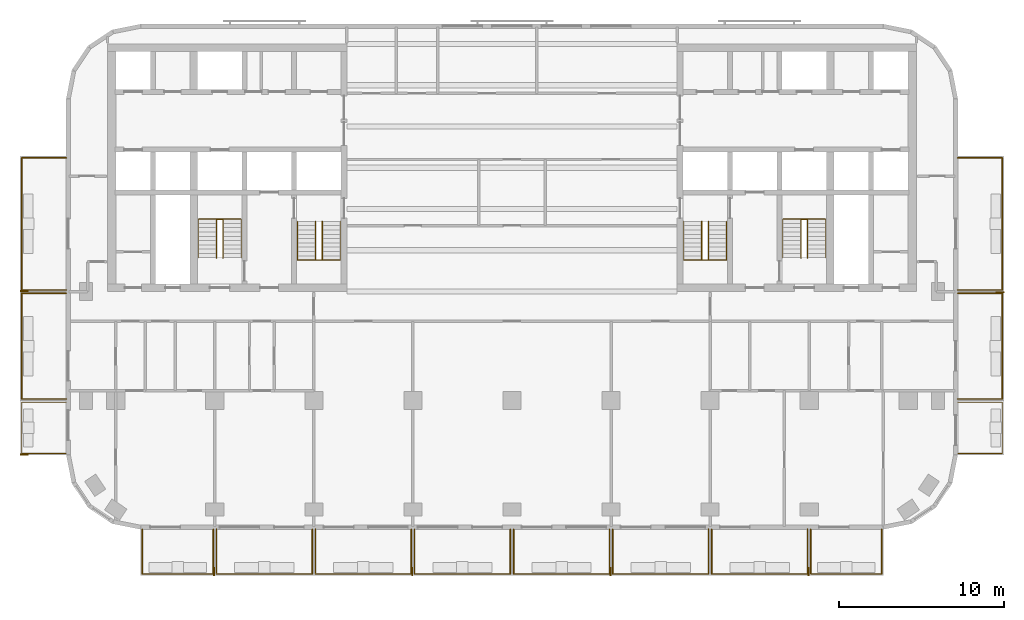
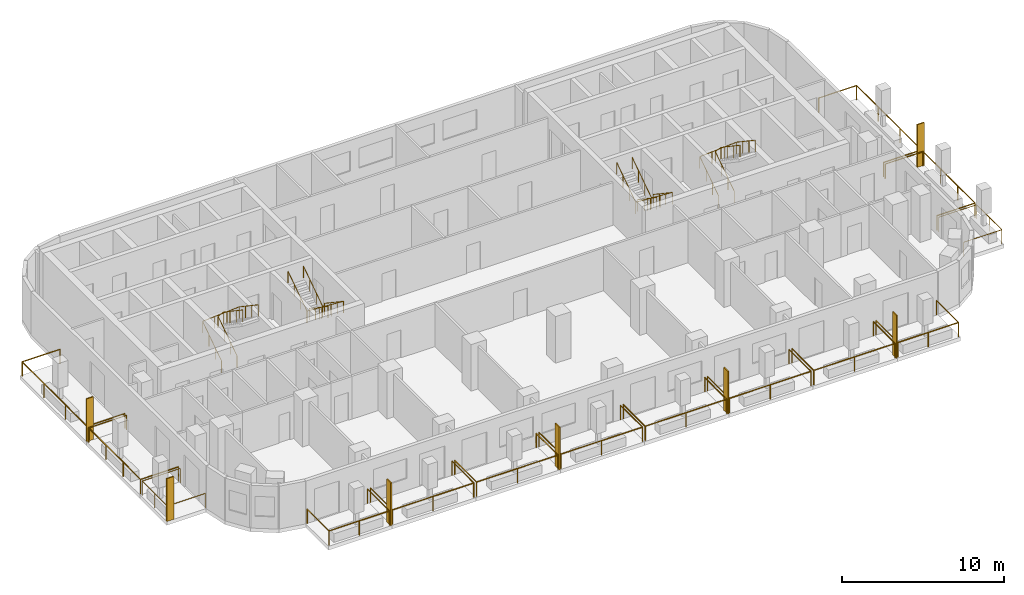
# One storey, part 9 of 11: 22 railings, 7 shading devices.
"""IFC4 building model written with IfcOpenShell, lengths in metres."""

from ifc_helpers import new_model, si_unit, direction, frame, origin, origin_2d, place, context, subcontext, project, spatial, rectangle, circle, extrude, material, layer, layer_set, type_object, element, save


model = new_model("IFC4")

# Units and contexts
model_context = context("Model", 3, precision=1e-05, world=origin(), true_north=direction((0.0, 1.0)))
body_context = subcontext(model_context, "Body", "Model", "MODEL_VIEW")
ifc_project = project(units=[si_unit("LENGTHUNIT", "METRE"), si_unit("AREAUNIT", "SQUARE_METRE"), si_unit("VOLUMEUNIT", "CUBIC_METRE"), si_unit("PLANEANGLEUNIT", "RADIAN"), si_unit("MASSUNIT", "GRAM", prefix="KILO")], contexts=[model_context])

# Site, building, storey
site_placement = place(None, origin())
site = spatial("IfcSite", under=ifc_project, at=site_placement, CompositionType="ELEMENT")
building_placement = place(site_placement, origin())
building = spatial("IfcBuilding", under=site, at=building_placement, Name="Torana Hotel and Residences", CompositionType="ELEMENT")
storey_placement = place(building_placement, frame((0.0, 0.0, 218.60009765625)))
storey = spatial("IfcBuildingStorey", under=building, at=storey_placement, Name="L57", CompositionType="ELEMENT", Elevation=218.60009765625)

# Shading devices
ifc_material_1 = material(Name="Black powder coated aluminium", Category="aluminium")
ifc_layer = layer(ifc_material_1, 0.080078125)
ifc_layer_set = layer_set([ifc_layer], Name="FN1 VERTICAL FIN 500x80")
shading_device_type = type_object("IfcShadingDeviceType", Name="FN1 VERTICAL FIN 500x80", PredefinedType="USERDEFINED", material=ifc_layer_set)
for number, where, z_axis, x_axis, name in (
    (1, (-18.0400390625, -31.949951171875, 0.0), (0.0, 0.0, 1.0), (-1.0, 0.0, 0.0), "Fin 01"),
    (2, (-6.0400390625, -31.949951171875, 0.0), (0.0, 0.0, 1.0), (-1.0, 0.0, 0.0), "Fin 03"),
    (3, (5.9599609375, -31.949951171875, 0.0), (0.0, 0.0, 1.0), (-1.0, 0.0, 0.0), "Fin 05"),
    (4, (17.9599609375, -31.949951171875, 0.0), (0.0, 0.0, 1.0), (-1.0, 0.0, 0.0), "Fin 07"),
    (5, (-29.550048828125, -24.860107421875, 0.0), (0.0, 0.0, 1.0), (0.0, 1.0, 0.0), "Fin 09"),
    (6, (-29.550048828125, -14.9599609375, 0.0), (0.0, 0.0, 1.0), (0.0, 1.0, 0.0), "Fin 11"),
    (7, (29.550048828125, -15.0400390625, 0.0), (0.0, 0.0, 1.0), (0.0, -1.0, 0.0), "Fin 13"),
):
    element("IfcShadingDevice", number, at=place(storey_placement, frame(where, z_axis=z_axis, x_axis=x_axis)), inside=storey, type_object=shading_device_type, Name=name, ObjectType="FIN", PredefinedType="USERDEFINED", context=body_context, shape_type="SweptSolid", body=[
        extrude(rectangle(XDim=0.080078125, YDim=0.5, at=origin_2d()), origin(), (0.0, 0.0, 1.0), 3.219970703125),
    ])

# Railings
ifc_material_2 = material(Name="Laminated glass balustrade with black handrail", Category="glass")
railing_type_1 = type_object("IfcRailingType", Name="GR1 BALCONY GUARD 1100 GLASS", PredefinedType="GUARDRAIL", material=ifc_material_2)
railing_1_placement = place(storey_placement, frame((-18.10009765625, -29.39990234375, 0.0)))
element("IfcRailing", 8, at=railing_1_placement, inside=storey, type_object=railing_type_1, Name="Balcony guard 01", PredefinedType="GUARDRAIL", context=body_context, shape_type="SweptSolid", body=[
    extrude(circle(Radius=0.02392578125, at=origin_2d()), frame((0.0, 0.0, 1.076171875), z_axis=(0.0, -1.0, 0.0), x_axis=(1.0, 0.0, 0.0)), (0.0, 0.0, 1.0), 2.7001953125),
    extrude(circle(Radius=0.02392578125, at=origin_2d()), frame((0.0, -2.7001953125, 1.076171875), z_axis=(-1.0, 0.0, 0.0), x_axis=(0.0, -1.0, 0.0)), (0.0, 0.0, 1.0), 4.2998046875),
    extrude(circle(Radius=0.02392578125, at=origin_2d()), frame((-4.2998046875, -2.7001953125, 1.076171875), z_axis=(0.0, 1.0, 0.0), x_axis=(-1.0, 0.0, 0.0)), (0.0, 0.0, 1.0), 2.7001953125),
    extrude(circle(Radius=0.02099609375, at=origin_2d()), origin(), (0.0, 0.0, 1.0), 1.052001953125),
    extrude(circle(Radius=0.02099609375, at=origin_2d()), frame((0.0, -2.7001953125, 0.0)), (0.0, 0.0, 1.0), 1.052001953125),
    extrude(circle(Radius=0.02099609375, at=origin_2d()), frame((-2.14990234375, -2.7001953125, 0.0)), (0.0, 0.0, 1.0), 1.052001953125),
    extrude(circle(Radius=0.02099609375, at=origin_2d()), frame((-4.2998046875, -2.7001953125, 0.0)), (0.0, 0.0, 1.0), 1.052001953125),
    extrude(circle(Radius=0.02099609375, at=origin_2d()), frame((-4.2998046875, 0.0, 0.0)), (0.0, 0.0, 1.0), 1.052001953125),
])
for number, where, name in (
    (9, (-12.10009765625, -29.39990234375, 0.0), "Balcony guard 02"),
    (10, (-6.10009765625, -29.39990234375, 0.0), "Balcony guard 03"),
    (11, (-0.10009765625, -29.39990234375, 0.0), "Balcony guard 04"),
    (12, (5.89990234375, -29.39990234375, 0.0), "Balcony guard 05"),
    (13, (11.89990234375, -29.39990234375, 0.0), "Balcony guard 06"),
    (14, (17.89990234375, -29.39990234375, 0.0), "Balcony guard 07"),
):
    element("IfcRailing", number, at=place(storey_placement, frame(where)), inside=storey, type_object=railing_type_1, Name=name, PredefinedType="GUARDRAIL", context=body_context, shape_type="SweptSolid", body=[
        extrude(circle(Radius=0.02392578125, at=origin_2d()), frame((0.0, 0.0, 1.076171875), z_axis=(0.0, -1.0, 0.0), x_axis=(1.0, 0.0, 0.0)), (0.0, 0.0, 1.0), 2.7001953125),
        extrude(circle(Radius=0.02392578125, at=origin_2d()), frame((0.0, -2.7001953125, 1.076171875), z_axis=(-1.0, 0.0, 0.0), x_axis=(0.0, -1.0, 0.0)), (0.0, 0.0, 1.0), 5.7998046875),
        extrude(circle(Radius=0.02392578125, at=origin_2d()), frame((-5.7998046875, -2.7001953125, 1.076171875), z_axis=(0.0, 1.0, 0.0), x_axis=(-1.0, 0.0, 0.0)), (0.0, 0.0, 1.0), 2.7001953125),
        extrude(circle(Radius=0.02099609375, at=origin_2d()), origin(), (0.0, 0.0, 1.0), 1.052001953125),
        extrude(circle(Radius=0.02099609375, at=origin_2d()), frame((0.0, -2.7001953125, 0.0)), (0.0, 0.0, 1.0), 1.052001953125),
        extrude(circle(Radius=0.02099609375, at=origin_2d()), frame((-2.89990234375, -2.7001953125, 0.0)), (0.0, 0.0, 1.0), 1.052001953125),
        extrude(circle(Radius=0.02099609375, at=origin_2d()), frame((-5.7998046875, -2.7001953125, 0.0)), (0.0, 0.0, 1.0), 1.052001953125),
        extrude(circle(Radius=0.02099609375, at=origin_2d()), frame((-5.7998046875, 0.0, 0.0)), (0.0, 0.0, 1.0), 1.052001953125),
    ])
railing_2_placement = place(storey_placement, frame((22.39990234375, -29.39990234375, 0.0)))
element("IfcRailing", 15, at=railing_2_placement, inside=storey, type_object=railing_type_1, Name="Balcony guard 08", PredefinedType="GUARDRAIL", context=body_context, shape_type="SweptSolid", body=[
    extrude(circle(Radius=0.02392578125, at=origin_2d()), frame((0.0, 0.0, 1.076171875), z_axis=(0.0, -1.0, 0.0), x_axis=(1.0, 0.0, 0.0)), (0.0, 0.0, 1.0), 2.7001953125),
    extrude(circle(Radius=0.02392578125, at=origin_2d()), frame((0.0, -2.7001953125, 1.076171875), z_axis=(-1.0, 0.0, 0.0), x_axis=(0.0, -1.0, 0.0)), (0.0, 0.0, 1.0), 4.2998046875),
    extrude(circle(Radius=0.02392578125, at=origin_2d()), frame((-4.2998046875, -2.7001953125, 1.076171875), z_axis=(0.0, 1.0, 0.0), x_axis=(-1.0, 0.0, 0.0)), (0.0, 0.0, 1.0), 2.7001953125),
    extrude(circle(Radius=0.02099609375, at=origin_2d()), origin(), (0.0, 0.0, 1.0), 1.052001953125),
    extrude(circle(Radius=0.02099609375, at=origin_2d()), frame((0.0, -2.7001953125, 0.0)), (0.0, 0.0, 1.0), 1.052001953125),
    extrude(circle(Radius=0.02099609375, at=origin_2d()), frame((-2.14990234375, -2.7001953125, 0.0)), (0.0, 0.0, 1.0), 1.052001953125),
    extrude(circle(Radius=0.02099609375, at=origin_2d()), frame((-4.2998046875, -2.7001953125, 0.0)), (0.0, 0.0, 1.0), 1.052001953125),
    extrude(circle(Radius=0.02099609375, at=origin_2d()), frame((-4.2998046875, 0.0, 0.0)), (0.0, 0.0, 1.0), 1.052001953125),
])
railing_3_placement = place(storey_placement, frame((-27.0, -24.800048828125, 0.0)))
element("IfcRailing", 16, at=railing_3_placement, inside=storey, type_object=railing_type_1, Name="Balcony guard 09", PredefinedType="GUARDRAIL", context=body_context, shape_type="SweptSolid", body=[
    extrude(circle(Radius=0.02392578125, at=origin_2d()), frame((0.0, 0.0, 1.076171875), z_axis=(-1.0, 0.0, 0.0), x_axis=(0.0, -1.0, 0.0)), (0.0, 0.0, 1.0), 2.699951171875),
    extrude(circle(Radius=0.02392578125, at=origin_2d()), frame((-2.699951171875, 0.0, 1.076171875), z_axis=(0.0, 1.0, 0.0), x_axis=(-1.0, 0.0, 0.0)), (0.0, 0.0, 1.0), 3.10009765625),
    extrude(circle(Radius=0.02392578125, at=origin_2d()), frame((-2.699951171875, 3.10009765625, 1.076171875), z_axis=(1.0, 0.0, 0.0), x_axis=(0.0, 1.0, 0.0)), (0.0, 0.0, 1.0), 2.699951171875),
    extrude(circle(Radius=0.02099609375, at=origin_2d()), origin(), (0.0, 0.0, 1.0), 1.052001953125),
    extrude(circle(Radius=0.02099609375, at=origin_2d()), frame((-2.699951171875, 0.0, 0.0)), (0.0, 0.0, 1.0), 1.052001953125),
    extrude(circle(Radius=0.02099609375, at=origin_2d()), frame((-2.699951171875, 1.550048828125, 0.0)), (0.0, 0.0, 1.0), 1.052001953125),
    extrude(circle(Radius=0.02099609375, at=origin_2d()), frame((-2.699951171875, 3.10009765625, 0.0)), (0.0, 0.0, 1.0), 1.052001953125),
    extrude(circle(Radius=0.02099609375, at=origin_2d()), frame((0.0, 3.10009765625, 0.0)), (0.0, 0.0, 1.0), 1.052001953125),
])
railing_4_placement = place(storey_placement, frame((-27.0, -21.5, 0.0)))
element("IfcRailing", 17, at=railing_4_placement, inside=storey, type_object=railing_type_1, Name="Balcony guard 10", PredefinedType="GUARDRAIL", context=body_context, shape_type="SweptSolid", body=[
    extrude(circle(Radius=0.02392578125, at=origin_2d()), frame((0.0, 0.0, 1.076171875), z_axis=(-1.0, 0.0, 0.0), x_axis=(0.0, -1.0, 0.0)), (0.0, 0.0, 1.0), 2.699951171875),
    extrude(circle(Radius=0.02392578125, at=origin_2d()), frame((-2.699951171875, 0.0, 1.076171875), z_axis=(0.0, 1.0, 0.0), x_axis=(-1.0, 0.0, 0.0)), (0.0, 0.0, 1.0), 6.39990234375),
    extrude(circle(Radius=0.02392578125, at=origin_2d()), frame((-2.699951171875, 6.39990234375, 1.076171875), z_axis=(1.0, 0.0, 0.0), x_axis=(0.0, 1.0, 0.0)), (0.0, 0.0, 1.0), 2.699951171875),
    extrude(circle(Radius=0.02099609375, at=origin_2d()), origin(), (0.0, 0.0, 1.0), 1.052001953125),
    extrude(circle(Radius=0.02099609375, at=origin_2d()), frame((-2.699951171875, 0.0, 0.0)), (0.0, 0.0, 1.0), 1.052001953125),
    extrude(circle(Radius=0.02099609375, at=origin_2d()), frame((-2.699951171875, 2.13330078125, 0.0)), (0.0, 0.0, 1.0), 1.052001953125),
    extrude(circle(Radius=0.02099609375, at=origin_2d()), frame((-2.699951171875, 4.2666015625, 0.0)), (0.0, 0.0, 1.0), 1.052001953125),
    extrude(circle(Radius=0.02099609375, at=origin_2d()), frame((-2.699951171875, 6.39990234375, 0.0)), (0.0, 0.0, 1.0), 1.052001953125),
    extrude(circle(Radius=0.02099609375, at=origin_2d()), frame((0.0, 6.39990234375, 0.0)), (0.0, 0.0, 1.0), 1.052001953125),
])
railing_5_placement = place(storey_placement, frame((-27.0, -14.89990234375, 0.0)))
element("IfcRailing", 18, at=railing_5_placement, inside=storey, type_object=railing_type_1, Name="Balcony guard 11", PredefinedType="GUARDRAIL", context=body_context, shape_type="SweptSolid", body=[
    extrude(circle(Radius=0.02392578125, at=origin_2d()), frame((0.0, 0.0, 1.076171875), z_axis=(-1.0, 0.0, 0.0), x_axis=(0.0, -1.0, 0.0)), (0.0, 0.0, 1.0), 2.699951171875),
    extrude(circle(Radius=0.02392578125, at=origin_2d()), frame((-2.699951171875, 0.0, 1.076171875), z_axis=(0.0, 1.0, 0.0), x_axis=(-1.0, 0.0, 0.0)), (0.0, 0.0, 1.0), 8.0),
    extrude(circle(Radius=0.02392578125, at=origin_2d()), frame((-2.699951171875, 8.0, 1.076171875), z_axis=(1.0, 0.0, 0.0), x_axis=(0.0, 1.0, 0.0)), (0.0, 0.0, 1.0), 2.699951171875),
    extrude(circle(Radius=0.02099609375, at=origin_2d()), origin(), (0.0, 0.0, 1.0), 1.052001953125),
    extrude(circle(Radius=0.02099609375, at=origin_2d()), frame((-2.699951171875, 0.0, 0.0)), (0.0, 0.0, 1.0), 1.052001953125),
    extrude(circle(Radius=0.02099609375, at=origin_2d()), frame((-2.699951171875, 2.666748046875, 0.0)), (0.0, 0.0, 1.0), 1.052001953125),
    extrude(circle(Radius=0.02099609375, at=origin_2d()), frame((-2.699951171875, 5.333251953125, 0.0)), (0.0, 0.0, 1.0), 1.052001953125),
    extrude(circle(Radius=0.02099609375, at=origin_2d()), frame((-2.699951171875, 8.0, 0.0)), (0.0, 0.0, 1.0), 1.052001953125),
    extrude(circle(Radius=0.02099609375, at=origin_2d()), frame((0.0, 8.0, 0.0)), (0.0, 0.0, 1.0), 1.052001953125),
])
railing_6_placement = place(storey_placement, frame((27.0, -21.699951171875, 0.0)))
element("IfcRailing", 19, at=railing_6_placement, inside=storey, type_object=railing_type_1, Name="Balcony guard 12", PredefinedType="GUARDRAIL", context=body_context, shape_type="SweptSolid", body=[
    extrude(circle(Radius=0.02392578125, at=origin_2d()), frame((0.0, 0.0, 1.076171875), z_axis=(1.0, 0.0, 0.0), x_axis=(0.0, 1.0, 0.0)), (0.0, 0.0, 1.0), 2.699951171875),
    extrude(circle(Radius=0.02392578125, at=origin_2d()), frame((2.699951171875, 0.0, 1.076171875), z_axis=(0.0, -1.0, 0.0), x_axis=(1.0, 0.0, 0.0)), (0.0, 0.0, 1.0), 3.10009765625),
    extrude(circle(Radius=0.02392578125, at=origin_2d()), frame((2.699951171875, -3.10009765625, 1.076171875), z_axis=(-1.0, 0.0, 0.0), x_axis=(0.0, -1.0, 0.0)), (0.0, 0.0, 1.0), 2.699951171875),
    extrude(circle(Radius=0.02099609375, at=origin_2d()), origin(), (0.0, 0.0, 1.0), 1.052001953125),
    extrude(circle(Radius=0.02099609375, at=origin_2d()), frame((2.699951171875, 0.0, 0.0)), (0.0, 0.0, 1.0), 1.052001953125),
    extrude(circle(Radius=0.02099609375, at=origin_2d()), frame((2.699951171875, -1.550048828125, 0.0)), (0.0, 0.0, 1.0), 1.052001953125),
    extrude(circle(Radius=0.02099609375, at=origin_2d()), frame((2.699951171875, -3.10009765625, 0.0)), (0.0, 0.0, 1.0), 1.052001953125),
    extrude(circle(Radius=0.02099609375, at=origin_2d()), frame((0.0, -3.10009765625, 0.0)), (0.0, 0.0, 1.0), 1.052001953125),
])
railing_7_placement = place(storey_placement, frame((27.0, -15.10009765625, 0.0)))
element("IfcRailing", 20, at=railing_7_placement, inside=storey, type_object=railing_type_1, Name="Balcony guard 13", PredefinedType="GUARDRAIL", context=body_context, shape_type="SweptSolid", body=[
    extrude(circle(Radius=0.02392578125, at=origin_2d()), frame((0.0, 0.0, 1.076171875), z_axis=(1.0, 0.0, 0.0), x_axis=(0.0, 1.0, 0.0)), (0.0, 0.0, 1.0), 2.699951171875),
    extrude(circle(Radius=0.02392578125, at=origin_2d()), frame((2.699951171875, 0.0, 1.076171875), z_axis=(0.0, -1.0, 0.0), x_axis=(1.0, 0.0, 0.0)), (0.0, 0.0, 1.0), 6.39990234375),
    extrude(circle(Radius=0.02392578125, at=origin_2d()), frame((2.699951171875, -6.39990234375, 1.076171875), z_axis=(-1.0, 0.0, 0.0), x_axis=(0.0, -1.0, 0.0)), (0.0, 0.0, 1.0), 2.699951171875),
    extrude(circle(Radius=0.02099609375, at=origin_2d()), origin(), (0.0, 0.0, 1.0), 1.052001953125),
    extrude(circle(Radius=0.02099609375, at=origin_2d()), frame((2.699951171875, 0.0, 0.0)), (0.0, 0.0, 1.0), 1.052001953125),
    extrude(circle(Radius=0.02099609375, at=origin_2d()), frame((2.699951171875, -2.13330078125, 0.0)), (0.0, 0.0, 1.0), 1.052001953125),
    extrude(circle(Radius=0.02099609375, at=origin_2d()), frame((2.699951171875, -4.2666015625, 0.0)), (0.0, 0.0, 1.0), 1.052001953125),
    extrude(circle(Radius=0.02099609375, at=origin_2d()), frame((2.699951171875, -6.39990234375, 0.0)), (0.0, 0.0, 1.0), 1.052001953125),
    extrude(circle(Radius=0.02099609375, at=origin_2d()), frame((0.0, -6.39990234375, 0.0)), (0.0, 0.0, 1.0), 1.052001953125),
])
railing_8_placement = place(storey_placement, frame((27.0, -6.89990234375, 0.0)))
element("IfcRailing", 21, at=railing_8_placement, inside=storey, type_object=railing_type_1, Name="Balcony guard 14", PredefinedType="GUARDRAIL", context=body_context, shape_type="SweptSolid", body=[
    extrude(circle(Radius=0.02392578125, at=origin_2d()), frame((0.0, 0.0, 1.076171875), z_axis=(1.0, 0.0, 0.0), x_axis=(0.0, 1.0, 0.0)), (0.0, 0.0, 1.0), 2.699951171875),
    extrude(circle(Radius=0.02392578125, at=origin_2d()), frame((2.699951171875, 0.0, 1.076171875), z_axis=(0.0, -1.0, 0.0), x_axis=(1.0, 0.0, 0.0)), (0.0, 0.0, 1.0), 8.0),
    extrude(circle(Radius=0.02392578125, at=origin_2d()), frame((2.699951171875, -8.0, 1.076171875), z_axis=(-1.0, 0.0, 0.0), x_axis=(0.0, -1.0, 0.0)), (0.0, 0.0, 1.0), 2.699951171875),
    extrude(circle(Radius=0.02099609375, at=origin_2d()), origin(), (0.0, 0.0, 1.0), 1.052001953125),
    extrude(circle(Radius=0.02099609375, at=origin_2d()), frame((2.699951171875, 0.0, 0.0)), (0.0, 0.0, 1.0), 1.052001953125),
    extrude(circle(Radius=0.02099609375, at=origin_2d()), frame((2.699951171875, -2.666748046875, 0.0)), (0.0, 0.0, 1.0), 1.052001953125),
    extrude(circle(Radius=0.02099609375, at=origin_2d()), frame((2.699951171875, -5.333251953125, 0.0)), (0.0, 0.0, 1.0), 1.052001953125),
    extrude(circle(Radius=0.02099609375, at=origin_2d()), frame((2.699951171875, -8.0, 0.0)), (0.0, 0.0, 1.0), 1.052001953125),
    extrude(circle(Radius=0.02099609375, at=origin_2d()), frame((0.0, -8.0, 0.0)), (0.0, 0.0, 1.0), 1.052001953125),
])
ifc_material_3 = material(Name="Stainless steel 316", Category="steel")
railing_type_2 = type_object("IfcRailingType", Name="STAIR HANDRAIL HR1 900", PredefinedType="HANDRAIL", material=ifc_material_3)
railing_9_placement = place(storey_placement, frame((-10.39990234375, -10.75, 0.1748046875)))
element("IfcRailing", 22, at=railing_9_placement, inside=storey, type_object=railing_type_2, Name="Handrail ST1 L57 O1", PredefinedType="HANDRAIL", context=body_context, shape_type="SweptSolid", body=[
    extrude(circle(Radius=0.02392578125, at=origin_2d()), frame((0.0, 0.0, 0.8759765625), z_axis=(0.0, -0.829565388462, 0.558409586474), x_axis=(1.0, 0.0, 0.0)), (0.0, 0.0, 1.0), 2.82080078125),
    extrude(circle(Radius=0.02392578125, at=origin_2d()), frame((0.0, -2.340087890625, 2.451171875), z_axis=(-0.997747692642, 0.0, 0.067078624219), x_axis=(0.0, -1.0, 0.0)), (0.0, 0.0, 1.0), 2.60595703125),
    extrude(circle(Radius=0.02392578125, at=origin_2d()), frame((-2.60009765625, -2.340087890625, 2.6259765625), z_axis=(0.0, 0.829565388462, 0.558409586474), x_axis=(-1.0, 0.0, 0.0)), (0.0, 0.0, 1.0), 2.82080078125),
    extrude(circle(Radius=0.02099609375, at=origin_2d()), origin(), (0.0, 0.0, 1.0), 0.851806640625),
    extrude(circle(Radius=0.02099609375, at=origin_2d()), frame((0.0, -0.780029296875, 0.525146484375)), (0.0, 0.0, 1.0), 0.851806640625),
    extrude(circle(Radius=0.02099609375, at=origin_2d()), frame((0.0, -1.56005859375, 1.050048828125)), (0.0, 0.0, 1.0), 0.851806640625),
    extrude(circle(Radius=0.02099609375, at=origin_2d()), frame((0.0, -2.340087890625, 1.5751953125)), (0.0, 0.0, 1.0), 0.851806640625),
    extrude(circle(Radius=0.02099609375, at=origin_2d()), frame((-0.86669921875, -2.340087890625, 1.633544921875)), (0.0, 0.0, 1.0), 0.851806640625),
    extrude(circle(Radius=0.02099609375, at=origin_2d()), frame((-1.7333984375, -2.340087890625, 1.691650390625)), (0.0, 0.0, 1.0), 0.851806640625),
    extrude(circle(Radius=0.02099609375, at=origin_2d()), frame((-2.60009765625, -2.340087890625, 1.75)), (0.0, 0.0, 1.0), 0.851806640625),
    extrude(circle(Radius=0.02099609375, at=origin_2d()), frame((-2.60009765625, -1.56005859375, 2.275146484375)), (0.0, 0.0, 1.0), 0.851806640625),
    extrude(circle(Radius=0.02099609375, at=origin_2d()), frame((-2.60009765625, -0.780029296875, 2.800048828125)), (0.0, 0.0, 1.0), 0.851806640625),
    extrude(circle(Radius=0.02099609375, at=origin_2d()), frame((-2.60009765625, 0.0, 3.3251953125)), (0.0, 0.0, 1.0), 0.851806640625),
])
railing_10_placement = place(storey_placement, frame((-11.5, -10.75, 0.1748046875)))
element("IfcRailing", 23, at=railing_10_placement, inside=storey, type_object=railing_type_2, Name="Handrail ST1 L57 I1", PredefinedType="HANDRAIL", context=body_context, shape_type="SweptSolid", body=[
    extrude(circle(Radius=0.02392578125, at=origin_2d()), frame((0.0, 0.0, 0.8759765625), z_axis=(0.0, -0.829565388462, 0.558409586474), x_axis=(1.0, 0.0, 0.0)), (0.0, 0.0, 1.0), 2.82080078125),
    extrude(circle(Radius=0.02392578125, at=origin_2d()), frame((0.0, -2.340087890625, 2.451171875), z_axis=(-0.916285673175, 0.0, 0.400525361412), x_axis=(0.0, -1.0, 0.0)), (0.0, 0.0, 1.0), 0.4365234375),
    extrude(circle(Radius=0.02392578125, at=origin_2d()), frame((-0.39990234375, -2.340087890625, 2.6259765625), z_axis=(0.0, 0.829565388462, 0.558409586474), x_axis=(-1.0, 0.0, 0.0)), (0.0, 0.0, 1.0), 2.82080078125),
    extrude(circle(Radius=0.02099609375, at=origin_2d()), origin(), (0.0, 0.0, 1.0), 0.851806640625),
    extrude(circle(Radius=0.02099609375, at=origin_2d()), frame((0.0, -0.780029296875, 0.525146484375)), (0.0, 0.0, 1.0), 0.851806640625),
    extrude(circle(Radius=0.02099609375, at=origin_2d()), frame((0.0, -1.56005859375, 1.050048828125)), (0.0, 0.0, 1.0), 0.851806640625),
    extrude(circle(Radius=0.02099609375, at=origin_2d()), frame((0.0, -2.340087890625, 1.5751953125)), (0.0, 0.0, 1.0), 0.851806640625),
    extrude(circle(Radius=0.02099609375, at=origin_2d()), frame((-0.39990234375, -2.340087890625, 1.75)), (0.0, 0.0, 1.0), 0.851806640625),
    extrude(circle(Radius=0.02099609375, at=origin_2d()), frame((-0.39990234375, -1.56005859375, 2.275146484375)), (0.0, 0.0, 1.0), 0.851806640625),
    extrude(circle(Radius=0.02099609375, at=origin_2d()), frame((-0.39990234375, -0.780029296875, 2.800048828125)), (0.0, 0.0, 1.0), 0.851806640625),
    extrude(circle(Radius=0.02099609375, at=origin_2d()), frame((-0.39990234375, 0.0, 3.3251953125)), (0.0, 0.0, 1.0), 0.851806640625),
])
railing_11_placement = place(storey_placement, frame((-19.0, -12.949951171875, 0.1748046875)))
element("IfcRailing", 24, at=railing_11_placement, inside=storey, type_object=railing_type_2, Name="Handrail ST2 L57 O1", PredefinedType="HANDRAIL", context=body_context, shape_type="SweptSolid", body=[
    extrude(circle(Radius=0.02392578125, at=origin_2d()), frame((0.0, 0.0, 0.8759765625), z_axis=(0.0, 0.829538397957, 0.558449681095), x_axis=(-1.0, 0.0, 0.0)), (0.0, 0.0, 1.0), 2.820556640625),
    extrude(circle(Radius=0.02392578125, at=origin_2d()), frame((0.0, 2.33984375, 2.451171875), z_axis=(0.997747692642, 0.0, 0.067078624219), x_axis=(0.0, 1.0, 0.0)), (0.0, 0.0, 1.0), 2.60595703125),
    extrude(circle(Radius=0.02392578125, at=origin_2d()), frame((2.60009765625, 2.33984375, 2.6259765625), z_axis=(0.0, -0.829538397957, 0.558449681095), x_axis=(1.0, 0.0, 0.0)), (0.0, 0.0, 1.0), 2.820556640625),
    extrude(circle(Radius=0.02099609375, at=origin_2d()), origin(), (0.0, 0.0, 1.0), 0.851806640625),
    extrude(circle(Radius=0.02099609375, at=origin_2d()), frame((0.0, 0.780029296875, 0.525146484375)), (0.0, 0.0, 1.0), 0.851806640625),
    extrude(circle(Radius=0.02099609375, at=origin_2d()), frame((0.0, 1.559814453125, 1.050048828125)), (0.0, 0.0, 1.0), 0.851806640625),
    extrude(circle(Radius=0.02099609375, at=origin_2d()), frame((0.0, 2.33984375, 1.5751953125)), (0.0, 0.0, 1.0), 0.851806640625),
    extrude(circle(Radius=0.02099609375, at=origin_2d()), frame((0.86669921875, 2.33984375, 1.633544921875)), (0.0, 0.0, 1.0), 0.851806640625),
    extrude(circle(Radius=0.02099609375, at=origin_2d()), frame((1.7333984375, 2.33984375, 1.691650390625)), (0.0, 0.0, 1.0), 0.851806640625),
    extrude(circle(Radius=0.02099609375, at=origin_2d()), frame((2.60009765625, 2.33984375, 1.75)), (0.0, 0.0, 1.0), 0.851806640625),
    extrude(circle(Radius=0.02099609375, at=origin_2d()), frame((2.60009765625, 1.559814453125, 2.275146484375)), (0.0, 0.0, 1.0), 0.851806640625),
    extrude(circle(Radius=0.02099609375, at=origin_2d()), frame((2.60009765625, 0.780029296875, 2.800048828125)), (0.0, 0.0, 1.0), 0.851806640625),
    extrude(circle(Radius=0.02099609375, at=origin_2d()), frame((2.60009765625, 0.0, 3.3251953125)), (0.0, 0.0, 1.0), 0.851806640625),
])
railing_12_placement = place(storey_placement, frame((-17.89990234375, -12.949951171875, 0.1748046875)))
element("IfcRailing", 25, at=railing_12_placement, inside=storey, type_object=railing_type_2, Name="Handrail ST2 L57 I1", PredefinedType="HANDRAIL", context=body_context, shape_type="SweptSolid", body=[
    extrude(circle(Radius=0.02392578125, at=origin_2d()), frame((0.0, 0.0, 0.8759765625), z_axis=(0.0, 0.829538397957, 0.558449681095), x_axis=(-1.0, 0.0, 0.0)), (0.0, 0.0, 1.0), 2.820556640625),
    extrude(circle(Radius=0.02392578125, at=origin_2d()), frame((0.0, 2.33984375, 2.451171875), z_axis=(0.916285673175, 0.0, 0.400525361412), x_axis=(0.0, 1.0, 0.0)), (0.0, 0.0, 1.0), 0.4365234375),
    extrude(circle(Radius=0.02392578125, at=origin_2d()), frame((0.39990234375, 2.33984375, 2.6259765625), z_axis=(0.0, -0.829538397957, 0.558449681095), x_axis=(1.0, 0.0, 0.0)), (0.0, 0.0, 1.0), 2.820556640625),
    extrude(circle(Radius=0.02099609375, at=origin_2d()), origin(), (0.0, 0.0, 1.0), 0.851806640625),
    extrude(circle(Radius=0.02099609375, at=origin_2d()), frame((0.0, 0.780029296875, 0.525146484375)), (0.0, 0.0, 1.0), 0.851806640625),
    extrude(circle(Radius=0.02099609375, at=origin_2d()), frame((0.0, 1.559814453125, 1.050048828125)), (0.0, 0.0, 1.0), 0.851806640625),
    extrude(circle(Radius=0.02099609375, at=origin_2d()), frame((0.0, 2.33984375, 1.5751953125)), (0.0, 0.0, 1.0), 0.851806640625),
    extrude(circle(Radius=0.02099609375, at=origin_2d()), frame((0.39990234375, 2.33984375, 1.75)), (0.0, 0.0, 1.0), 0.851806640625),
    extrude(circle(Radius=0.02099609375, at=origin_2d()), frame((0.39990234375, 1.559814453125, 2.275146484375)), (0.0, 0.0, 1.0), 0.851806640625),
    extrude(circle(Radius=0.02099609375, at=origin_2d()), frame((0.39990234375, 0.780029296875, 2.800048828125)), (0.0, 0.0, 1.0), 0.851806640625),
    extrude(circle(Radius=0.02099609375, at=origin_2d()), frame((0.39990234375, 0.0, 3.3251953125)), (0.0, 0.0, 1.0), 0.851806640625),
])
railing_13_placement = place(storey_placement, frame((13.0, -10.75, 0.1748046875)))
element("IfcRailing", 26, at=railing_13_placement, inside=storey, type_object=railing_type_2, Name="Handrail ST3 L57 O1", PredefinedType="HANDRAIL", context=body_context, shape_type="SweptSolid", body=[
    extrude(circle(Radius=0.02392578125, at=origin_2d()), frame((0.0, 0.0, 0.8759765625), z_axis=(0.0, -0.829565388462, 0.558409586474), x_axis=(1.0, 0.0, 0.0)), (0.0, 0.0, 1.0), 2.82080078125),
    extrude(circle(Radius=0.02392578125, at=origin_2d()), frame((0.0, -2.340087890625, 2.451171875), z_axis=(-0.997747692642, 0.0, 0.067078624219), x_axis=(0.0, -1.0, 0.0)), (0.0, 0.0, 1.0), 2.60595703125),
    extrude(circle(Radius=0.02392578125, at=origin_2d()), frame((-2.60009765625, -2.340087890625, 2.6259765625), z_axis=(0.0, 0.829565388462, 0.558409586474), x_axis=(-1.0, 0.0, 0.0)), (0.0, 0.0, 1.0), 2.82080078125),
    extrude(circle(Radius=0.02099609375, at=origin_2d()), origin(), (0.0, 0.0, 1.0), 0.851806640625),
    extrude(circle(Radius=0.02099609375, at=origin_2d()), frame((0.0, -0.780029296875, 0.525146484375)), (0.0, 0.0, 1.0), 0.851806640625),
    extrude(circle(Radius=0.02099609375, at=origin_2d()), frame((0.0, -1.56005859375, 1.050048828125)), (0.0, 0.0, 1.0), 0.851806640625),
    extrude(circle(Radius=0.02099609375, at=origin_2d()), frame((0.0, -2.340087890625, 1.5751953125)), (0.0, 0.0, 1.0), 0.851806640625),
    extrude(circle(Radius=0.02099609375, at=origin_2d()), frame((-0.86669921875, -2.340087890625, 1.633544921875)), (0.0, 0.0, 1.0), 0.851806640625),
    extrude(circle(Radius=0.02099609375, at=origin_2d()), frame((-1.7333984375, -2.340087890625, 1.691650390625)), (0.0, 0.0, 1.0), 0.851806640625),
    extrude(circle(Radius=0.02099609375, at=origin_2d()), frame((-2.60009765625, -2.340087890625, 1.75)), (0.0, 0.0, 1.0), 0.851806640625),
    extrude(circle(Radius=0.02099609375, at=origin_2d()), frame((-2.60009765625, -1.56005859375, 2.275146484375)), (0.0, 0.0, 1.0), 0.851806640625),
    extrude(circle(Radius=0.02099609375, at=origin_2d()), frame((-2.60009765625, -0.780029296875, 2.800048828125)), (0.0, 0.0, 1.0), 0.851806640625),
    extrude(circle(Radius=0.02099609375, at=origin_2d()), frame((-2.60009765625, 0.0, 3.3251953125)), (0.0, 0.0, 1.0), 0.851806640625),
])
railing_14_placement = place(storey_placement, frame((11.89990234375, -10.75, 0.1748046875)))
element("IfcRailing", 27, at=railing_14_placement, inside=storey, type_object=railing_type_2, Name="Handrail ST3 L57 I1", PredefinedType="HANDRAIL", context=body_context, shape_type="SweptSolid", body=[
    extrude(circle(Radius=0.02392578125, at=origin_2d()), frame((0.0, 0.0, 0.8759765625), z_axis=(0.0, -0.829565388462, 0.558409586474), x_axis=(1.0, 0.0, 0.0)), (0.0, 0.0, 1.0), 2.82080078125),
    extrude(circle(Radius=0.02392578125, at=origin_2d()), frame((0.0, -2.340087890625, 2.451171875), z_axis=(-0.916285673175, 0.0, 0.400525361412), x_axis=(0.0, -1.0, 0.0)), (0.0, 0.0, 1.0), 0.4365234375),
    extrude(circle(Radius=0.02392578125, at=origin_2d()), frame((-0.39990234375, -2.340087890625, 2.6259765625), z_axis=(0.0, 0.829565388462, 0.558409586474), x_axis=(-1.0, 0.0, 0.0)), (0.0, 0.0, 1.0), 2.82080078125),
    extrude(circle(Radius=0.02099609375, at=origin_2d()), origin(), (0.0, 0.0, 1.0), 0.851806640625),
    extrude(circle(Radius=0.02099609375, at=origin_2d()), frame((0.0, -0.780029296875, 0.525146484375)), (0.0, 0.0, 1.0), 0.851806640625),
    extrude(circle(Radius=0.02099609375, at=origin_2d()), frame((0.0, -1.56005859375, 1.050048828125)), (0.0, 0.0, 1.0), 0.851806640625),
    extrude(circle(Radius=0.02099609375, at=origin_2d()), frame((0.0, -2.340087890625, 1.5751953125)), (0.0, 0.0, 1.0), 0.851806640625),
    extrude(circle(Radius=0.02099609375, at=origin_2d()), frame((-0.39990234375, -2.340087890625, 1.75)), (0.0, 0.0, 1.0), 0.851806640625),
    extrude(circle(Radius=0.02099609375, at=origin_2d()), frame((-0.39990234375, -1.56005859375, 2.275146484375)), (0.0, 0.0, 1.0), 0.851806640625),
    extrude(circle(Radius=0.02099609375, at=origin_2d()), frame((-0.39990234375, -0.780029296875, 2.800048828125)), (0.0, 0.0, 1.0), 0.851806640625),
    extrude(circle(Radius=0.02099609375, at=origin_2d()), frame((-0.39990234375, 0.0, 3.3251953125)), (0.0, 0.0, 1.0), 0.851806640625),
])
railing_15_placement = place(storey_placement, frame((16.39990234375, -12.949951171875, 0.1748046875)))
element("IfcRailing", 28, at=railing_15_placement, inside=storey, type_object=railing_type_2, Name="Handrail ST4 L57 O1", PredefinedType="HANDRAIL", context=body_context, shape_type="SweptSolid", body=[
    extrude(circle(Radius=0.02392578125, at=origin_2d()), frame((0.0, 0.0, 0.8759765625), z_axis=(0.0, 0.829538397957, 0.558449681095), x_axis=(-1.0, 0.0, 0.0)), (0.0, 0.0, 1.0), 2.820556640625),
    extrude(circle(Radius=0.02392578125, at=origin_2d()), frame((0.0, 2.33984375, 2.451171875), z_axis=(0.997747692642, 0.0, 0.067078624219), x_axis=(0.0, 1.0, 0.0)), (0.0, 0.0, 1.0), 2.60595703125),
    extrude(circle(Radius=0.02392578125, at=origin_2d()), frame((2.60009765625, 2.33984375, 2.6259765625), z_axis=(0.0, -0.829538397957, 0.558449681095), x_axis=(1.0, 0.0, 0.0)), (0.0, 0.0, 1.0), 2.820556640625),
    extrude(circle(Radius=0.02099609375, at=origin_2d()), origin(), (0.0, 0.0, 1.0), 0.851806640625),
    extrude(circle(Radius=0.02099609375, at=origin_2d()), frame((0.0, 0.780029296875, 0.525146484375)), (0.0, 0.0, 1.0), 0.851806640625),
    extrude(circle(Radius=0.02099609375, at=origin_2d()), frame((0.0, 1.559814453125, 1.050048828125)), (0.0, 0.0, 1.0), 0.851806640625),
    extrude(circle(Radius=0.02099609375, at=origin_2d()), frame((0.0, 2.33984375, 1.5751953125)), (0.0, 0.0, 1.0), 0.851806640625),
    extrude(circle(Radius=0.02099609375, at=origin_2d()), frame((0.86669921875, 2.33984375, 1.633544921875)), (0.0, 0.0, 1.0), 0.851806640625),
    extrude(circle(Radius=0.02099609375, at=origin_2d()), frame((1.7333984375, 2.33984375, 1.691650390625)), (0.0, 0.0, 1.0), 0.851806640625),
    extrude(circle(Radius=0.02099609375, at=origin_2d()), frame((2.60009765625, 2.33984375, 1.75)), (0.0, 0.0, 1.0), 0.851806640625),
    extrude(circle(Radius=0.02099609375, at=origin_2d()), frame((2.60009765625, 1.559814453125, 2.275146484375)), (0.0, 0.0, 1.0), 0.851806640625),
    extrude(circle(Radius=0.02099609375, at=origin_2d()), frame((2.60009765625, 0.780029296875, 2.800048828125)), (0.0, 0.0, 1.0), 0.851806640625),
    extrude(circle(Radius=0.02099609375, at=origin_2d()), frame((2.60009765625, 0.0, 3.3251953125)), (0.0, 0.0, 1.0), 0.851806640625),
])
railing_16_placement = place(storey_placement, frame((17.5, -12.949951171875, 0.1748046875)))
element("IfcRailing", 29, at=railing_16_placement, inside=storey, type_object=railing_type_2, Name="Handrail ST4 L57 I1", PredefinedType="HANDRAIL", context=body_context, shape_type="SweptSolid", body=[
    extrude(circle(Radius=0.02392578125, at=origin_2d()), frame((0.0, 0.0, 0.8759765625), z_axis=(0.0, 0.829538397957, 0.558449681095), x_axis=(-1.0, 0.0, 0.0)), (0.0, 0.0, 1.0), 2.820556640625),
    extrude(circle(Radius=0.02392578125, at=origin_2d()), frame((0.0, 2.33984375, 2.451171875), z_axis=(0.916285673175, 0.0, 0.400525361412), x_axis=(0.0, 1.0, 0.0)), (0.0, 0.0, 1.0), 0.4365234375),
    extrude(circle(Radius=0.02392578125, at=origin_2d()), frame((0.39990234375, 2.33984375, 2.6259765625), z_axis=(0.0, -0.829538397957, 0.558449681095), x_axis=(1.0, 0.0, 0.0)), (0.0, 0.0, 1.0), 2.820556640625),
    extrude(circle(Radius=0.02099609375, at=origin_2d()), origin(), (0.0, 0.0, 1.0), 0.851806640625),
    extrude(circle(Radius=0.02099609375, at=origin_2d()), frame((0.0, 0.780029296875, 0.525146484375)), (0.0, 0.0, 1.0), 0.851806640625),
    extrude(circle(Radius=0.02099609375, at=origin_2d()), frame((0.0, 1.559814453125, 1.050048828125)), (0.0, 0.0, 1.0), 0.851806640625),
    extrude(circle(Radius=0.02099609375, at=origin_2d()), frame((0.0, 2.33984375, 1.5751953125)), (0.0, 0.0, 1.0), 0.851806640625),
    extrude(circle(Radius=0.02099609375, at=origin_2d()), frame((0.39990234375, 2.33984375, 1.75)), (0.0, 0.0, 1.0), 0.851806640625),
    extrude(circle(Radius=0.02099609375, at=origin_2d()), frame((0.39990234375, 1.559814453125, 2.275146484375)), (0.0, 0.0, 1.0), 0.851806640625),
    extrude(circle(Radius=0.02099609375, at=origin_2d()), frame((0.39990234375, 0.780029296875, 2.800048828125)), (0.0, 0.0, 1.0), 0.851806640625),
    extrude(circle(Radius=0.02099609375, at=origin_2d()), frame((0.39990234375, 0.0, 3.3251953125)), (0.0, 0.0, 1.0), 0.851806640625),
])

save(model, "model.ifc")
